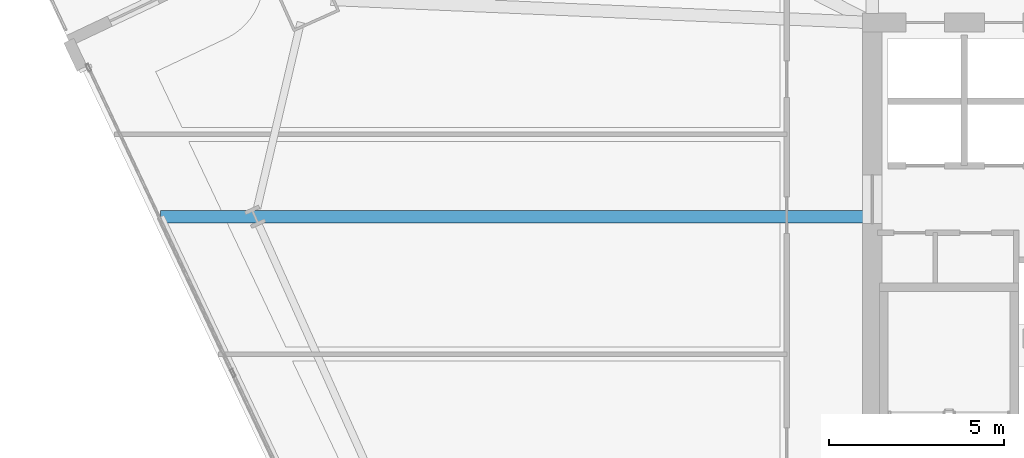
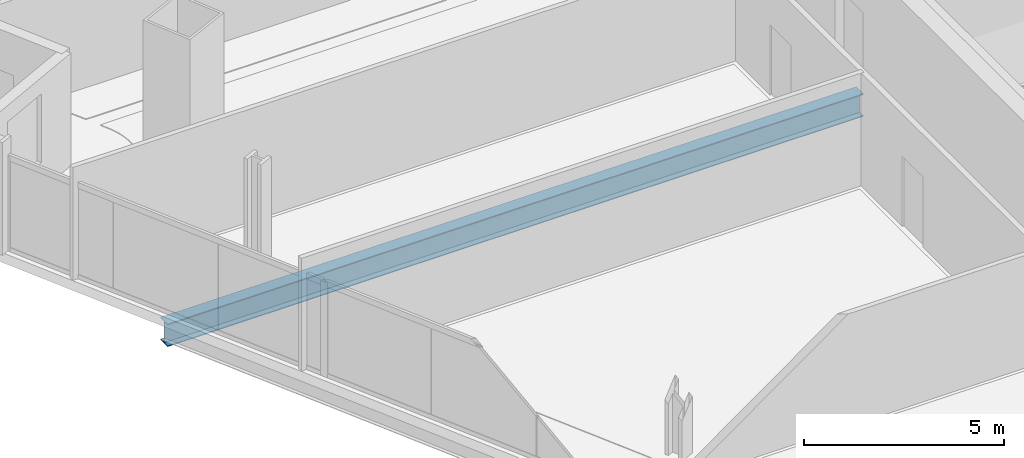
# One storey, part 14 of 34: 1 beam.
"""IFC4 building model written with IfcOpenShell, lengths in metres."""

from ifc_helpers import new_model, si_unit, direction, frame, origin, origin_2d, place, context, subcontext, project, spatial, i_section, extrude, material, material_profile, profile_set, type_object, element, save


model = new_model("IFC4")

# Units and contexts
model_context = context("Model", 3, precision=1e-05, world=origin(), true_north=direction((0.0, 1.0)))
body_context = subcontext(model_context, "Body", "Model", "MODEL_VIEW")
ifc_project = project(units=[si_unit("LENGTHUNIT", "METRE"), si_unit("AREAUNIT", "SQUARE_METRE"), si_unit("VOLUMEUNIT", "CUBIC_METRE"), si_unit("PLANEANGLEUNIT", "RADIAN"), si_unit("MASSUNIT", "GRAM", prefix="KILO")], contexts=[model_context])

# Site, building, storey
site_placement = place(None, origin())
site = spatial("IfcSite", under=ifc_project, at=site_placement, CompositionType="ELEMENT")
building_placement = place(site_placement, origin())
building = spatial("IfcBuilding", under=site, at=building_placement, Name="Haldenkirk Collegiate Tower", CompositionType="ELEMENT")
storey_placement = place(building_placement, frame((0.0, 0.0, 112.949951171875)))
storey = spatial("IfcBuildingStorey", under=building, at=storey_placement, Name="L27", CompositionType="ELEMENT", Elevation=112.949951171875)

# Beam
ifc_material = material(Name="Steel ASTM A992 Grade 50", Category="steel")
ifc_material_profile = material_profile(ifc_material, i_section(OverallWidth=0.35498046875, OverallDepth=0.696044921875, WebThickness=0.015380859375, FlangeThickness=0.02490234375, at=origin_2d()), Name="W27X146")
ifc_profile_set = profile_set([ifc_material_profile], Name="Steel ASTM A992 Grade 50")
beam_type = type_object("IfcBeamType", Name="BM-GIRDER-W27X146", PredefinedType="BEAM", material=ifc_profile_set)
beam_placement = place(storey_placement, frame((6.609619140625, 28.436767578125, -0.64794921875), z_axis=(1.0, 0.0, 0.0), x_axis=(0.0, 1.0, 0.0)))
element("IfcBeam", 1, at=beam_placement, inside=storey, type_object=beam_type, Name="L27 primary floor girder 14", PredefinedType="BEAM", context=body_context, shape_type="SweptSolid", body=[
    extrude(i_section(OverallWidth=0.35498046875, OverallDepth=0.696044921875, WebThickness=0.015380859375, FlangeThickness=0.02490234375, at=origin_2d()), origin(), (0.0, 0.0, 1.0), 20.135498046875),
])

save(model, "model.ifc")
